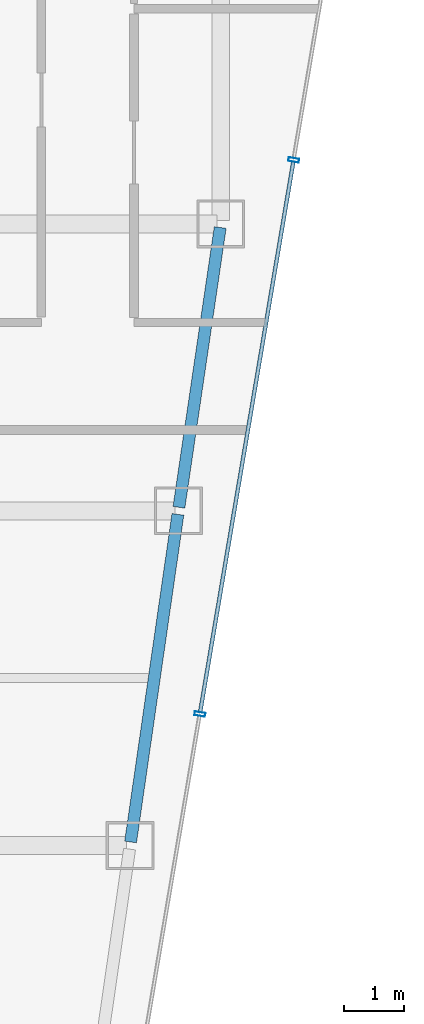
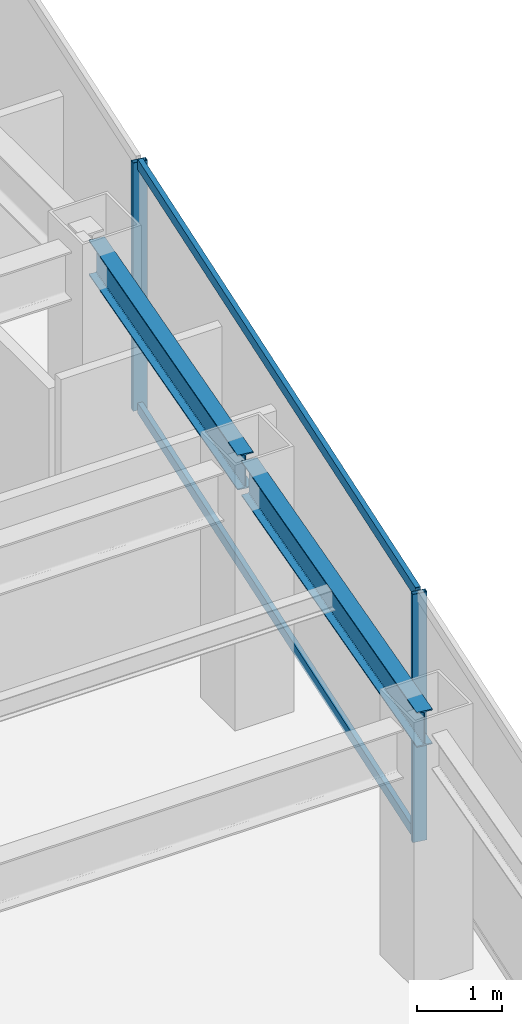
# One storey, part 22 of 35: 4 members, 2 beams, 1 element without a shape of its own.
"""IFC4 building model written with IfcOpenShell, lengths in metres."""

from ifc_helpers import new_model, si_unit, direction, frame, origin, origin_2d, place, context, subcontext, project, spatial, hollow_rectangle, i_section, extrude, material, material_profile, profile_set, type_object, element, aggregate, save


model = new_model("IFC4")

# Units and contexts
model_context = context("Model", 3, precision=1e-05, world=origin(), true_north=direction((0.0, 1.0)))
body_context = subcontext(model_context, "Body", "Model", "MODEL_VIEW")
ifc_project = project(units=[si_unit("LENGTHUNIT", "METRE"), si_unit("AREAUNIT", "SQUARE_METRE"), si_unit("VOLUMEUNIT", "CUBIC_METRE"), si_unit("PLANEANGLEUNIT", "RADIAN"), si_unit("MASSUNIT", "GRAM", prefix="KILO")], contexts=[model_context])

# Site, building, storey
site_placement = place(None, origin())
site = spatial("IfcSite", under=ifc_project, at=site_placement, CompositionType="ELEMENT")
building_placement = place(site_placement, origin())
building = spatial("IfcBuilding", under=site, at=building_placement, Name="Saevonmaru Cultural Tower", CompositionType="ELEMENT")
storey_placement = place(building_placement, frame((0.0, 0.0, 217.0)))
storey = spatial("IfcBuildingStorey", under=building, at=storey_placement, Name="L50", CompositionType="ELEMENT", Elevation=217.0)

# Beams
ifc_material_1 = material(Name="Steel SM355", Category="steel")
ifc_material_profile_1 = material_profile(ifc_material_1, i_section(OverallWidth=0.199951171875, OverallDepth=0.5, WebThickness=0.010009765625, FlangeThickness=0.01611328125, FilletRadius=0.02001953125, at=origin_2d()), Name="H-500x200x10x16")
ifc_profile_set_1 = profile_set([ifc_material_profile_1], Name="Steel SM355")
beam_type = type_object("IfcBeamType", Name="BM-SP-H500", PredefinedType="SPANDREL", material=ifc_profile_set_1)
beam_1_placement = place(storey_placement, frame((51.691650390625, 32.059326171875, 3.300048828125), z_axis=(0.142964121327, 0.989727871697, 0.0), x_axis=(-0.989727871697, 0.142964121327, 0.0)))
element("IfcBeam", 1, at=beam_1_placement, inside=storey, type_object=beam_type, Name="L50 East Splayed Spandrel 3", PredefinedType="SPANDREL", context=body_context, shape_type="SweptSolid", body=[
    extrude(i_section(OverallWidth=0.199951171875, OverallDepth=0.5, WebThickness=0.010009765625, FlangeThickness=0.01611328125, FilletRadius=0.02001953125, at=origin_2d()), origin(), (0.0, 0.0, 1.0), 5.5380859375),
])
beam_2_placement = place(storey_placement, frame((52.500732421875, 37.659423828125, 3.300048828125), z_axis=(0.145912860028, 0.989297446312, 0.0), x_axis=(-0.989297446312, 0.145912860028, 0.0)))
element("IfcBeam", 2, at=beam_2_placement, inside=storey, type_object=beam_type, Name="L50 East Splayed Spandrel 4", PredefinedType="SPANDREL", context=body_context, shape_type="SweptSolid", body=[
    extrude(i_section(OverallWidth=0.199951171875, OverallDepth=0.5, WebThickness=0.010009765625, FlangeThickness=0.01611328125, FilletRadius=0.02001953125, at=origin_2d()), origin(), (0.0, 0.0, 1.0), 4.731689453125),
])

# Curtain wall, members
ifc_material_2 = material(Name="Satin Bronze Anodised Aluminium", Category="aluminium")
curtain_wall_type = type_object("IfcCurtainWallType", Name="CW-TYP-B", PredefinedType="NOTDEFINED", material=ifc_material_2)
curtain_wall_placement = place(storey_placement, origin())
curtain_wall = element("IfcCurtainWall", 3, at=curtain_wall_placement, inside=storey, type_object=curtain_wall_type, Name="L50 Unitised Curtain Wall E8", PredefinedType="NOTDEFINED")
ifc_material_profile_2 = material_profile(ifc_material_2, hollow_rectangle(XDim=0.06494140625, YDim=0.179931640625, WallThickness=0.00390625, at=origin_2d()), Name="ALU-MULL-180x65x4")
ifc_profile_set_2 = profile_set([ifc_material_profile_2], Name="Satin Bronze Anodised Aluminium")
member_type_1 = type_object("IfcMemberType", Name="ML-CW-180x65", PredefinedType="MULLION", material=ifc_profile_set_2)
member_1_placement = place(storey_placement, frame((52.85107421875, 34.199951171875, 0.0), z_axis=(0.0, 0.0, 1.0), x_axis=(0.16692169721, 0.985970155228, 0.0)))
member_1 = element("IfcMember", 4, at=member_1_placement, type_object=member_type_1, Name="CW-TW-L50-E8 mullion 3", PredefinedType="MULLION", context=body_context, shape_type="SweptSolid", body=[
    extrude(hollow_rectangle(XDim=0.06494140625, YDim=0.179931640625, WallThickness=0.00390625, at=origin_2d()), origin(), (0.0, 0.0, 1.0), 3.550048828125),
])
member_2_placement = place(storey_placement, frame((54.420654296875, 43.470458984375, 0.0), z_axis=(0.0, 0.0, 1.0), x_axis=(0.16692169721, 0.985970155228, 0.0)))
member_2 = element("IfcMember", 5, at=member_2_placement, type_object=member_type_1, Name="CW-TW-L50-E8 mullion 4", PredefinedType="MULLION", context=body_context, shape_type="SweptSolid", body=[
    extrude(hollow_rectangle(XDim=0.06494140625, YDim=0.179931640625, WallThickness=0.00390625, at=origin_2d()), origin(), (0.0, 0.0, 1.0), 3.550048828125),
])
ifc_material_profile_3 = material_profile(ifc_material_2, hollow_rectangle(XDim=0.06494140625, YDim=0.14990234375, WallThickness=0.00390625, at=origin_2d()), Name="ALU-TRAN-150x65x4")
ifc_profile_set_3 = profile_set([ifc_material_profile_3], Name="Satin Bronze Anodised Aluminium")
member_type_2 = type_object("IfcMemberType", Name="TR-CW-150x65", PredefinedType="USERDEFINED", material=ifc_profile_set_3)
member_3_placement = place(storey_placement, frame((52.8564453125, 34.23193359375, 0.032470703125), z_axis=(0.166916960754, 0.985970957084, 0.0), x_axis=(-0.985970957084, 0.166916960754, 0.0)))
member_3 = element("IfcMember", 6, at=member_3_placement, type_object=member_type_2, Name="CW-TW-L50-E8 transom 3.1", ObjectType="TRANSOM", PredefinedType="USERDEFINED", context=body_context, shape_type="SweptSolid", body=[
    extrude(hollow_rectangle(XDim=0.06494140625, YDim=0.14990234375, WallThickness=0.00390625, at=origin_2d()), origin(), (0.0, 0.0, 1.0), 9.337646484375),
])
member_4_placement = place(storey_placement, frame((52.8564453125, 34.23193359375, 3.517578125), z_axis=(0.166916960754, 0.985970957084, 0.0), x_axis=(-0.985970957084, 0.166916960754, 0.0)))
member_4 = element("IfcMember", 7, at=member_4_placement, type_object=member_type_2, Name="CW-TW-L50-E8 transom 3.2", ObjectType="TRANSOM", PredefinedType="USERDEFINED", context=body_context, shape_type="SweptSolid", body=[
    extrude(hollow_rectangle(XDim=0.06494140625, YDim=0.14990234375, WallThickness=0.00390625, at=origin_2d()), origin(), (0.0, 0.0, 1.0), 9.337646484375),
])
aggregate(curtain_wall, [member_1, member_2, member_3, member_4])

save(model, "model.ifc")
